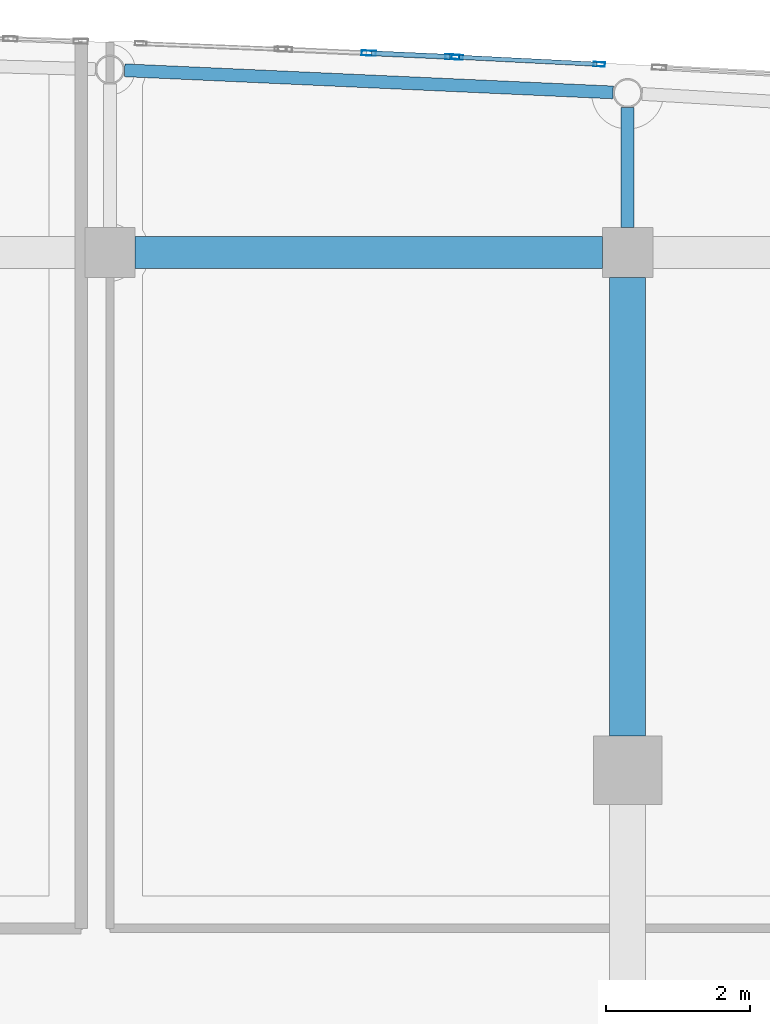
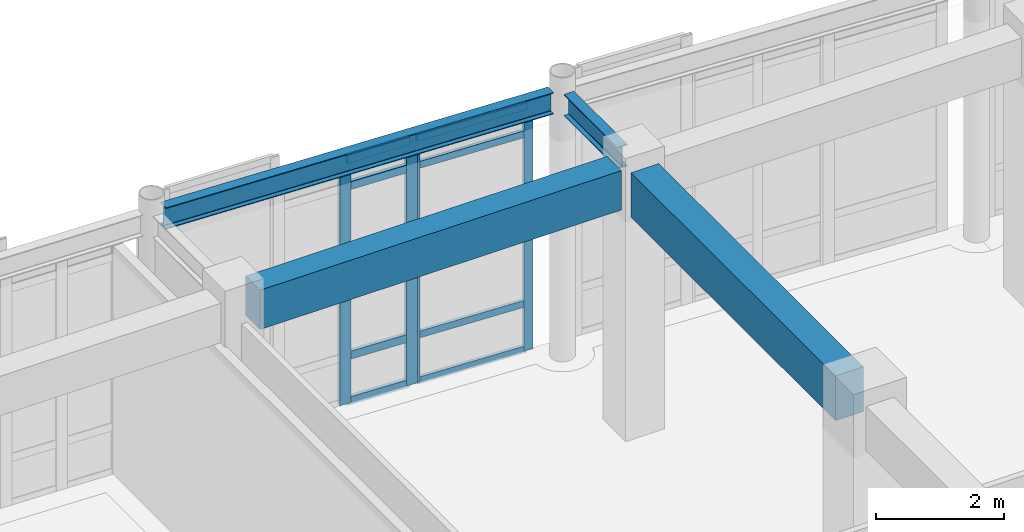
# One storey, part 48 of 102: 12 members, 4 beams, 2 elements without a shape of their own.
"""IFC4 building model written with IfcOpenShell, lengths in metres."""

from ifc_helpers import new_model, si_unit, direction, frame, origin, origin_2d, place, context, subcontext, project, spatial, rectangle, hollow_rectangle, i_section, extrude, material, layer, layer_set, material_profile, profile_set, type_object, element, aggregate, save


model = new_model("IFC4")

# Units and contexts
model_context = context("Model", 3, precision=1e-05, world=origin(), true_north=direction((0.0, 1.0)))
body_context = subcontext(model_context, "Body", "Model", "MODEL_VIEW")
ifc_project = project(units=[si_unit("LENGTHUNIT", "METRE"), si_unit("AREAUNIT", "SQUARE_METRE"), si_unit("VOLUMEUNIT", "CUBIC_METRE"), si_unit("PLANEANGLEUNIT", "RADIAN"), si_unit("MASSUNIT", "GRAM", prefix="KILO")], contexts=[model_context])

# Site, building, storey
site_placement = place(None, origin())
site = spatial("IfcSite", under=ifc_project, at=site_placement, CompositionType="ELEMENT")
building_placement = place(site_placement, origin())
building = spatial("IfcBuilding", under=site, at=building_placement, Name="Carrowvane Square Congress Hotel", CompositionType="ELEMENT")
storey_placement = place(building_placement, origin())
storey = spatial("IfcBuildingStorey", under=building, at=storey_placement, Name="L00", CompositionType="ELEMENT", Elevation=0.0)

# Beams
ifc_material_1 = material(Name="Concrete C35/45", Category="concrete")
ifc_material_profile_1 = material_profile(ifc_material_1, rectangle(XDim=0.449951171875, YDim=0.75, at=origin_2d()), Name="RC 450x750")
ifc_profile_set_1 = profile_set([ifc_material_profile_1], Name="Concrete C35/45")
beam_type_1 = type_object("IfcBeamType", Name="BM-RC-450x750", PredefinedType="USERDEFINED", material=ifc_profile_set_1)
beam_1_placement = place(storey_placement, frame((112.75, 113.39990234375, 4.72509765625), z_axis=(1.0, 0.0, 0.0), x_axis=(0.0, 1.0, 0.0)))
element("IfcBeam", 1, at=beam_1_placement, inside=storey, type_object=beam_type_1, Name="L01 girder R/15-16", ObjectType="GIRDER", PredefinedType="USERDEFINED", context=body_context, shape_type="SweptSolid", body=[
    extrude(rectangle(XDim=0.449951171875, YDim=0.75, at=origin_2d()), origin(), (0.0, 0.0, 1.0), 6.5),
])
ifc_material_2 = material(Name="Concrete C35/45", Category="concrete")
ifc_material_profile_2 = material_profile(ifc_material_2, rectangle(XDim=0.5, YDim=0.85009765625, at=origin_2d()), Name="RC 500x850")
ifc_profile_set_2 = profile_set([ifc_material_profile_2], Name="Concrete C35/45")
beam_type_2 = type_object("IfcBeamType", Name="BM-RC-500x850", PredefinedType="USERDEFINED", material=ifc_profile_set_2)
beam_2_placement = place(storey_placement, frame((119.60009765625, 106.675048828125, 4.675048828125), z_axis=(0.0, 1.0, 0.0), x_axis=(-1.0, 0.0, 0.0)))
element("IfcBeam", 2, at=beam_2_placement, inside=storey, type_object=beam_type_2, Name="L01 girder 16/Q-R", ObjectType="GIRDER", PredefinedType="USERDEFINED", context=body_context, shape_type="SweptSolid", body=[
    extrude(rectangle(XDim=0.5, YDim=0.85009765625, at=origin_2d()), origin(), (0.0, 0.0, 1.0), 6.375),
])
ifc_material_3 = material(Name="Steel S355", Category="steel")
ifc_material_profile_3 = material_profile(ifc_material_3, i_section(OverallWidth=0.1787109375, OverallDepth=0.409423828125, WebThickness=0.0087890625, FlangeThickness=0.014404296875, FilletRadius=0.01025390625, at=origin_2d()), Name="UKB 406x178x67")
ifc_profile_set_3 = profile_set([ifc_material_profile_3], Name="Steel S355")
beam_type_3 = type_object("IfcBeamType", Name="BM-ST-UKB406", PredefinedType="BEAM", material=ifc_profile_set_3)
beam_3_placement = place(storey_placement, frame((112.60302734375, 115.934814453125, 4.895263671875), z_axis=(0.998973271848, -0.045303445058, 0.0), x_axis=(0.045303445058, 0.998973271848, 0.0)))
element("IfcBeam", 3, at=beam_3_placement, inside=storey, type_object=beam_type_3, Name="L01 curved north spandrel", PredefinedType="BEAM", context=body_context, shape_type="SweptSolid", body=[
    extrude(i_section(OverallWidth=0.1787109375, OverallDepth=0.409423828125, WebThickness=0.0087890625, FlangeThickness=0.014404296875, FilletRadius=0.01025390625, at=origin_2d()), origin(), (0.0, 0.0, 1.0), 6.801025390625),
])
beam_4_placement = place(storey_placement, frame((119.60009765625, 113.75, 4.895263671875), z_axis=(0.0, 1.0, 0.0), x_axis=(-1.0, 0.0, 0.0)))
element("IfcBeam", 4, at=beam_4_placement, inside=storey, type_object=beam_type_3, Name="L01 radial north beam 16", PredefinedType="BEAM", context=body_context, shape_type="SweptSolid", body=[
    extrude(i_section(OverallWidth=0.1787109375, OverallDepth=0.409423828125, WebThickness=0.0087890625, FlangeThickness=0.014404296875, FilletRadius=0.01025390625, at=origin_2d()), origin(), (0.0, 0.0, 1.0), 1.664306640625),
])

# Curtain wall, members
ifc_material_4 = material(Name="Anodised aluminium", Category="aluminium")
ifc_layer_1 = layer(ifc_material_4, 0.18603515625)
ifc_layer_set_1 = layer_set([ifc_layer_1], Name="Anodised aluminium")
curtain_wall_type_1 = type_object("IfcCurtainWallType", Name="CW-SYS-3", PredefinedType="NOTDEFINED", material=ifc_layer_set_1)
curtain_wall_1_placement = place(storey_placement, origin())
curtain_wall_1 = element("IfcCurtainWall", 5, at=curtain_wall_1_placement, inside=storey, type_object=curtain_wall_type_1, Name="L00 unitised curtain wall 34", PredefinedType="NOTDEFINED")
ifc_material_5 = material(Name="Anodised aluminium", Category="aluminium")
ifc_material_profile_4 = material_profile(ifc_material_5, hollow_rectangle(XDim=0.06005859375, YDim=0.159912109375, WallThickness=0.00390625, at=origin_2d()), Name="CW-ML 60x160x4")
ifc_profile_set_4 = profile_set([ifc_material_profile_4], Name="Anodised aluminium")
member_type_1 = type_object("IfcMemberType", Name="CW-MUL-1", PredefinedType="MULLION", material=ifc_profile_set_4)
member_1_placement = place(storey_placement, frame((117.22998046875, 116.116943359375, 0.0), z_axis=(0.0, 0.0, 1.0), x_axis=(0.050323791596, 0.998732955299, 0.0)))
member_1 = element("IfcMember", 6, at=member_1_placement, type_object=member_type_1, Name="CW-3 mullion 1", PredefinedType="MULLION", context=body_context, shape_type="SweptSolid", body=[
    extrude(hollow_rectangle(XDim=0.06005859375, YDim=0.159912109375, WallThickness=0.00390625, at=origin_2d()), origin(), (0.0, 0.0, 1.0), 4.675537109375),
])
member_2_placement = place(storey_placement, frame((119.20556640625, 116.017578125, 0.0), z_axis=(0.0, 0.0, 1.0), x_axis=(0.050323791596, 0.998732955299, 0.0)))
member_2 = element("IfcMember", 7, at=member_2_placement, type_object=member_type_1, Name="CW-3 mullion 2", PredefinedType="MULLION", context=body_context, shape_type="SweptSolid", body=[
    extrude(hollow_rectangle(XDim=0.06005859375, YDim=0.159912109375, WallThickness=0.00390625, at=origin_2d()), origin(), (0.0, 0.0, 1.0), 4.675537109375),
])

ifc_material_6 = material(Name="Anodised aluminium", Category="aluminium")
ifc_layer_2 = layer(ifc_material_6, 0.174072265625)
ifc_layer_set_2 = layer_set([ifc_layer_2], Name="Anodised aluminium")
curtain_wall_type_2 = type_object("IfcCurtainWallType", Name="CW-SYS-2", PredefinedType="NOTDEFINED", material=ifc_layer_set_2)
curtain_wall_2_placement = place(storey_placement, origin())
curtain_wall_2 = element("IfcCurtainWall", 8, at=curtain_wall_2_placement, inside=storey, type_object=curtain_wall_type_2, Name="L00 unitised curtain wall 33", PredefinedType="NOTDEFINED")
ifc_material_7 = material(Name="Anodised aluminium", Category="aluminium")
ifc_material_profile_5 = material_profile(ifc_material_7, hollow_rectangle(XDim=0.070068359375, YDim=0.199951171875, WallThickness=0.0048828125, at=origin_2d()), Name="CW-ML 70x200x5")
ifc_profile_set_5 = profile_set([ifc_material_profile_5], Name="Anodised aluminium")
member_type_2 = type_object("IfcMemberType", Name="CW-MUL-2", PredefinedType="MULLION", material=ifc_profile_set_5)
member_3_placement = place(storey_placement, frame((116.0, 116.173095703125, 0.0), z_axis=(0.0, 0.0, 1.0), x_axis=(0.045411059449, 0.998968385726, 0.0)))
member_3 = element("IfcMember", 9, at=member_3_placement, type_object=member_type_2, Name="CW-2 mullion 2", PredefinedType="MULLION", context=body_context, shape_type="SweptSolid", body=[
    extrude(hollow_rectangle(XDim=0.070068359375, YDim=0.199951171875, WallThickness=0.0048828125, at=origin_2d()), origin(), (0.0, 0.0, 1.0), 4.675537109375),
])
member_4_placement = place(storey_placement, frame((117.1650390625, 116.1201171875, 0.0), z_axis=(0.0, 0.0, 1.0), x_axis=(0.045411059449, 0.998968385726, 0.0)))
member_4 = element("IfcMember", 10, at=member_4_placement, type_object=member_type_2, Name="CW-2 mullion 3", PredefinedType="MULLION", context=body_context, shape_type="SweptSolid", body=[
    extrude(hollow_rectangle(XDim=0.070068359375, YDim=0.199951171875, WallThickness=0.0048828125, at=origin_2d()), origin(), (0.0, 0.0, 1.0), 4.675537109375),
])

# Member
ifc_material_8 = material(Name="Anodised aluminium", Category="aluminium")
ifc_material_profile_6 = material_profile(ifc_material_8, hollow_rectangle(XDim=0.06005859375, YDim=0.1298828125, WallThickness=0.00390625, at=origin_2d()), Name="CW-TR 60x130x4")
ifc_profile_set_6 = profile_set([ifc_material_profile_6], Name="Anodised aluminium")
member_type_3 = type_object("IfcMemberType", Name="CW-TRN-1", PredefinedType="USERDEFINED", material=ifc_profile_set_6)
member_5_placement = place(storey_placement, frame((117.260009765625, 116.115478515625, 0.030029296875), z_axis=(0.998735138435, -0.050280446047, 0.0), x_axis=(0.050280446047, 0.998735138435, 0.0)))
member_5 = element("IfcMember", 11, at=member_5_placement, type_object=member_type_3, Name="CW-3 transom 1.1", ObjectType="TRANSOM", PredefinedType="USERDEFINED", context=body_context, shape_type="SweptSolid", body=[
    extrude(hollow_rectangle(XDim=0.06005859375, YDim=0.1298828125, WallThickness=0.00390625, at=origin_2d()), origin(), (0.0, 0.0, 1.0), 1.91796875),
])

member_6_placement = place(storey_placement, frame((117.260009765625, 116.115478515625, 0.89990234375), z_axis=(0.998735138435, -0.050280446047, 0.0), x_axis=(0.050280446047, 0.998735138435, 0.0)))
member_6 = element("IfcMember", 12, at=member_6_placement, type_object=member_type_3, Name="CW-3 transom 1.2", ObjectType="TRANSOM", PredefinedType="USERDEFINED", context=body_context, shape_type="SweptSolid", body=[
    extrude(hollow_rectangle(XDim=0.06005859375, YDim=0.1298828125, WallThickness=0.00390625, at=origin_2d()), origin(), (0.0, 0.0, 1.0), 1.91796875),
])

member_7_placement = place(storey_placement, frame((117.260009765625, 116.115478515625, 4.12548828125), z_axis=(0.998735138435, -0.050280446047, 0.0), x_axis=(0.050280446047, 0.998735138435, 0.0)))
member_7 = element("IfcMember", 13, at=member_7_placement, type_object=member_type_3, Name="CW-3 transom 1.3", ObjectType="TRANSOM", PredefinedType="USERDEFINED", context=body_context, shape_type="SweptSolid", body=[
    extrude(hollow_rectangle(XDim=0.06005859375, YDim=0.1298828125, WallThickness=0.00390625, at=origin_2d()), origin(), (0.0, 0.0, 1.0), 1.91796875),
])

member_8_placement = place(storey_placement, frame((117.260009765625, 116.115478515625, 4.6455078125), z_axis=(0.998735138435, -0.050280446047, 0.0), x_axis=(0.050280446047, 0.998735138435, 0.0)))
member_8 = element("IfcMember", 14, at=member_8_placement, type_object=member_type_3, Name="CW-3 transom 1.4", ObjectType="TRANSOM", PredefinedType="USERDEFINED", context=body_context, shape_type="SweptSolid", body=[
    extrude(hollow_rectangle(XDim=0.06005859375, YDim=0.1298828125, WallThickness=0.00390625, at=origin_2d()), origin(), (0.0, 0.0, 1.0), 1.91796875),
])

aggregate(curtain_wall_1, [member_1, member_2, member_5, member_6, member_7, member_8])

ifc_material_9 = material(Name="Anodised aluminium", Category="aluminium")
ifc_material_profile_7 = material_profile(ifc_material_9, hollow_rectangle(XDim=0.070068359375, YDim=0.14990234375, WallThickness=0.0048828125, at=origin_2d()), Name="CW-TR 70x150x5")
ifc_profile_set_7 = profile_set([ifc_material_profile_7], Name="Anodised aluminium")
member_type_4 = type_object("IfcMemberType", Name="CW-TRN-2", PredefinedType="USERDEFINED", material=ifc_profile_set_7)
member_9_placement = place(storey_placement, frame((116.034912109375, 116.17138671875, 0.034912109375), z_axis=(0.998967621715, -0.045427863315, 0.0), x_axis=(0.045427863315, 0.998967621715, 0.0)))
member_9 = element("IfcMember", 15, at=member_9_placement, type_object=member_type_4, Name="CW-2 transom 2.1", ObjectType="TRANSOM", PredefinedType="USERDEFINED", context=body_context, shape_type="SweptSolid", body=[
    extrude(hollow_rectangle(XDim=0.070068359375, YDim=0.14990234375, WallThickness=0.0048828125, at=origin_2d()), origin(), (0.0, 0.0, 1.0), 1.096435546875),
])

member_10_placement = place(storey_placement, frame((116.034912109375, 116.17138671875, 0.89990234375), z_axis=(0.998967621715, -0.045427863315, 0.0), x_axis=(0.045427863315, 0.998967621715, 0.0)))
member_10 = element("IfcMember", 16, at=member_10_placement, type_object=member_type_4, Name="CW-2 transom 2.2", ObjectType="TRANSOM", PredefinedType="USERDEFINED", context=body_context, shape_type="SweptSolid", body=[
    extrude(hollow_rectangle(XDim=0.070068359375, YDim=0.14990234375, WallThickness=0.0048828125, at=origin_2d()), origin(), (0.0, 0.0, 1.0), 1.096435546875),
])

member_11_placement = place(storey_placement, frame((116.034912109375, 116.17138671875, 4.12548828125), z_axis=(0.998967621715, -0.045427863315, 0.0), x_axis=(0.045427863315, 0.998967621715, 0.0)))
member_11 = element("IfcMember", 17, at=member_11_placement, type_object=member_type_4, Name="CW-2 transom 2.3", ObjectType="TRANSOM", PredefinedType="USERDEFINED", context=body_context, shape_type="SweptSolid", body=[
    extrude(hollow_rectangle(XDim=0.070068359375, YDim=0.14990234375, WallThickness=0.0048828125, at=origin_2d()), origin(), (0.0, 0.0, 1.0), 1.096435546875),
])

member_12_placement = place(storey_placement, frame((116.034912109375, 116.17138671875, 4.640625), z_axis=(0.998967621715, -0.045427863315, 0.0), x_axis=(0.045427863315, 0.998967621715, 0.0)))
member_12 = element("IfcMember", 18, at=member_12_placement, type_object=member_type_4, Name="CW-2 transom 2.4", ObjectType="TRANSOM", PredefinedType="USERDEFINED", context=body_context, shape_type="SweptSolid", body=[
    extrude(hollow_rectangle(XDim=0.070068359375, YDim=0.14990234375, WallThickness=0.0048828125, at=origin_2d()), origin(), (0.0, 0.0, 1.0), 1.096435546875),
])

aggregate(curtain_wall_2, [member_3, member_4, member_9, member_10, member_11, member_12])

save(model, "model.ifc")
